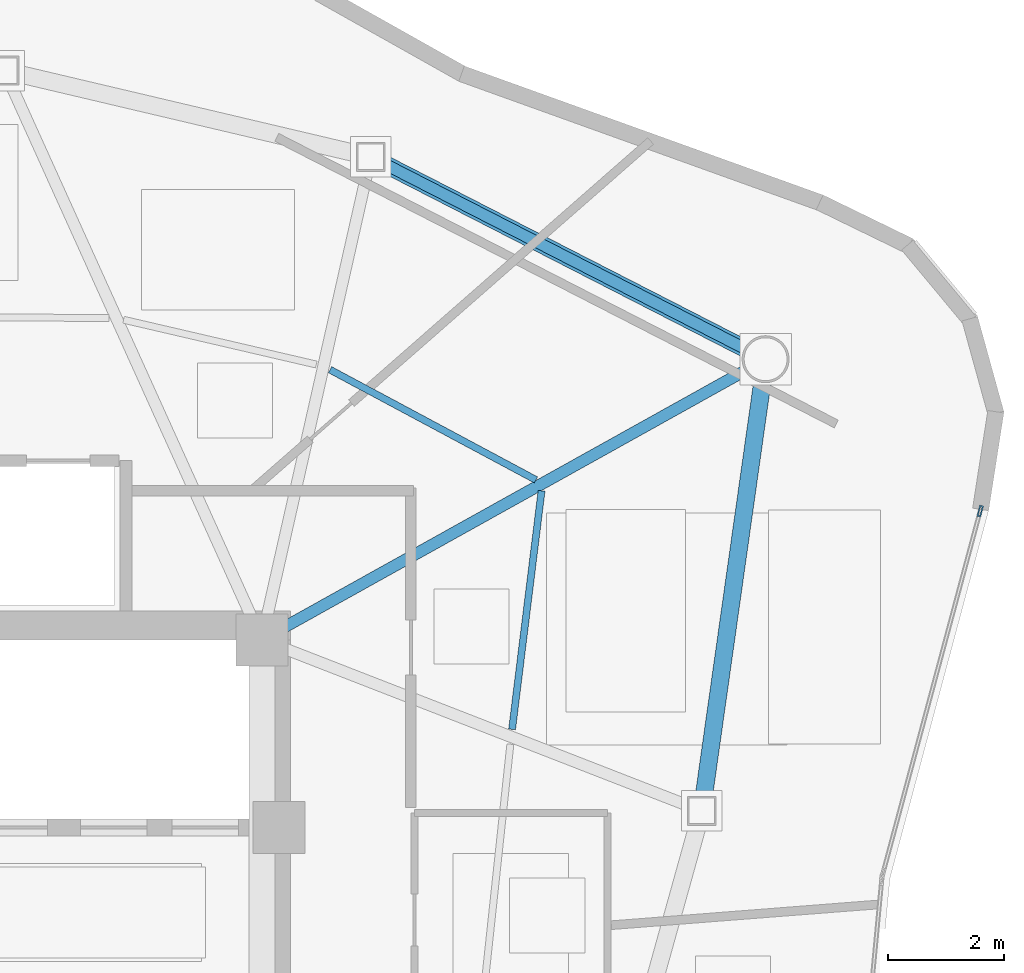
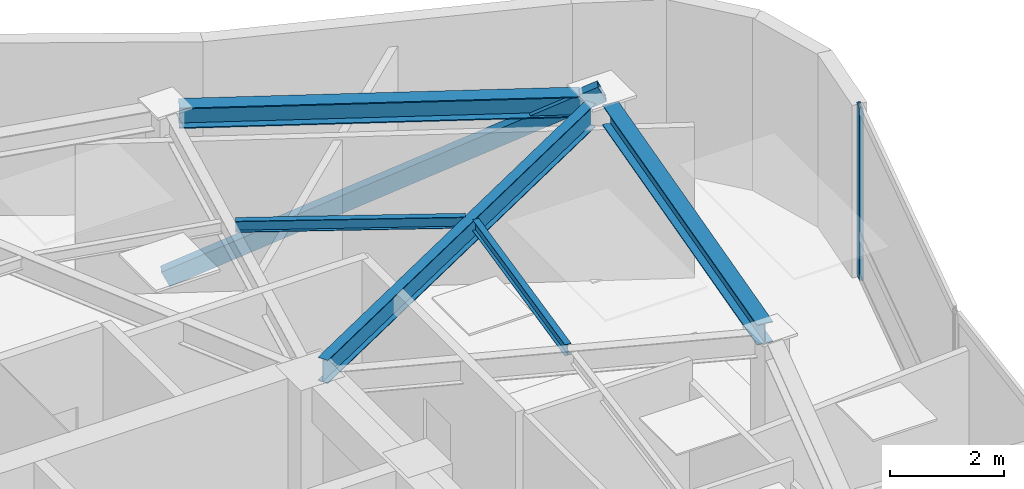
# One storey, part 6 of 12: 5 beams, 2 members, 1 element without a shape of its own.
"""IFC4 building model written with IfcOpenShell, lengths in metres."""

from ifc_helpers import new_model, si_unit, direction, frame, origin, origin_2d, place, context, subcontext, project, spatial, hollow_rectangle, i_section, extrude, source, transform, mapped, material, layer, layer_set, material_profile, profile_set, type_object, type_shapes, element, aggregate, save


model = new_model("IFC4")

# Units and contexts
model_context = context("Model", 3, precision=1e-05, world=origin(), true_north=direction((0.0, 1.0)))
body_context = subcontext(model_context, "Body", "Model", "MODEL_VIEW")
ifc_project = project(units=[si_unit("LENGTHUNIT", "METRE"), si_unit("AREAUNIT", "SQUARE_METRE"), si_unit("VOLUMEUNIT", "CUBIC_METRE"), si_unit("PLANEANGLEUNIT", "RADIAN"), si_unit("MASSUNIT", "GRAM", prefix="KILO")], contexts=[model_context])

# Site, building, storey
site_placement = place(None, origin())
site = spatial("IfcSite", under=ifc_project, at=site_placement, CompositionType="ELEMENT")
building_placement = place(site_placement, origin())
building = spatial("IfcBuilding", under=site, at=building_placement, Name="Tavelor Broadcast Tower", CompositionType="ELEMENT")
storey_placement = place(building_placement, frame((0.0, 0.0, 285.5)))
storey = spatial("IfcBuildingStorey", under=building, at=storey_placement, Name="L68", CompositionType="ELEMENT", Elevation=285.5)

# Beams
ifc_material_1 = material(Name="Steel S355", Category="steel")
ifc_material_profile_1 = material_profile(ifc_material_1, i_section(OverallWidth=0.1201171875, OverallDepth=0.239990234375, WebThickness=0.006103515625, FlangeThickness=0.009765625, at=origin_2d()), Name="IPE 240")
ifc_profile_set_1 = profile_set([ifc_material_profile_1], Name="Steel S355")
beam_type_1 = type_object("IfcBeamType", Name="Composite Floor Joist T7 IPE 240", PredefinedType="JOIST", material=ifc_profile_set_1)
beam_1_placement = place(storey_placement, frame((60.931884765625, 49.648681640625, 3.580078125), z_axis=(0.12271283089, 0.992442220552, 0.0), x_axis=(-0.992442220552, 0.12271283089, 0.0)))
element("IfcBeam", 1, at=beam_1_placement, inside=storey, type_object=beam_type_1, Name="L68 Secondary Composite Floor Joist 12", PredefinedType="JOIST", context=body_context, shape_type="SweptSolid", body=[
    extrude(i_section(OverallWidth=0.1201171875, OverallDepth=0.239990234375, WebThickness=0.006103515625, FlangeThickness=0.009765625, at=origin_2d()), origin(), (0.0, 0.0, 1.0), 4.16015625),
])
beam_2_placement = place(storey_placement, frame((61.344482421875, 53.96630859375, 3.580078125), z_axis=(-0.881609274303, 0.471979965108, 0.0), x_axis=(-0.471979965108, -0.881609274303, 0.0)))
element("IfcBeam", 2, at=beam_2_placement, inside=storey, type_object=beam_type_1, Name="L68 Secondary Composite Floor Joist 13", PredefinedType="JOIST", context=body_context, shape_type="SweptSolid", body=[
    extrude(i_section(OverallWidth=0.1201171875, OverallDepth=0.239990234375, WebThickness=0.006103515625, FlangeThickness=0.009765625, at=origin_2d()), origin(), (0.0, 0.0, 1.0), 4.041015625),
])
ifc_material_profile_2 = material_profile(ifc_material_1, i_section(OverallWidth=0.300048828125, OverallDepth=0.43994140625, WebThickness=0.011474609375, FlangeThickness=0.02099609375, at=origin_2d()), Name="HEA 450")
ifc_profile_set_2 = profile_set([ifc_material_profile_2], Name="Steel S355")
beam_type_2 = type_object("IfcBeamType", Name="Perimeter Spandrel Beam T7 HEA 450", PredefinedType="SPANDREL", material=ifc_profile_set_2)
beam_3_placement = place(storey_placement, frame((64.248046875, 48.47509765625, 3.47998046875), z_axis=(0.139953453654, 0.990158083747, 0.0), x_axis=(-0.990158083747, 0.139953453654, 0.0)))
element("IfcBeam", 3, at=beam_3_placement, inside=storey, type_object=beam_type_2, Name="L68 Framed-Tube Ring Spandrel 12", PredefinedType="SPANDREL", context=body_context, shape_type="SweptSolid", body=[
    extrude(i_section(OverallWidth=0.300048828125, OverallDepth=0.43994140625, WebThickness=0.011474609375, FlangeThickness=0.02099609375, at=origin_2d()), origin(), (0.0, 0.0, 1.0), 7.265625),
])
beam_4_placement = place(storey_placement, frame((64.97216796875, 56.2333984375, 3.47998046875), z_axis=(-0.889963826526, 0.456031125556, 0.0), x_axis=(-0.456031125556, -0.889963826526, 0.0)))
element("IfcBeam", 4, at=beam_4_placement, inside=storey, type_object=beam_type_2, Name="L68 Framed-Tube Ring Spandrel 13", PredefinedType="SPANDREL", context=body_context, shape_type="SweptSolid", body=[
    extrude(i_section(OverallWidth=0.300048828125, OverallDepth=0.43994140625, WebThickness=0.011474609375, FlangeThickness=0.02099609375, at=origin_2d()), origin(), (0.0, 0.0, 1.0), 7.048583984375),
])

# Member
ifc_material_profile_3 = material_profile(ifc_material_1, hollow_rectangle(XDim=0.199951171875, YDim=0.35009765625, WallThickness=0.01611328125, at=origin_2d()), Name="RHS 350x200x16")
ifc_profile_set_3 = profile_set([ifc_material_profile_3], Name="Steel S355")
member_type_1 = type_object("IfcMemberType", Name="Perimeter Tube Brace T7 RHS 350x200x16", PredefinedType="BRACE", material=ifc_profile_set_3)
member_1_placement = place(storey_placement, frame((58.485595703125, 59.55712890625, 0.0), z_axis=(0.801763897696, -0.410792291396, 0.434078732123), x_axis=(0.455992584505, 0.889983574498, 0.0)))
element("IfcMember", 5, at=member_1_placement, inside=storey, type_object=member_type_1, Name="L68 Corner Tube Diagonal Brace 3", PredefinedType="BRACE", context=body_context, shape_type="SweptSolid", body=[
    extrude(hollow_rectangle(XDim=0.199951171875, YDim=0.35009765625, WallThickness=0.01611328125, at=origin_2d()), origin(), (0.0, 0.0, 1.0), 8.523681640625),
])

# Beam
ifc_material_profile_4 = material_profile(ifc_material_1, i_section(OverallWidth=0.199951171875, OverallDepth=0.5, WebThickness=0.01025390625, FlangeThickness=0.01611328125, at=origin_2d()), Name="IPE 500")
ifc_profile_set_4 = profile_set([ifc_material_profile_4], Name="Steel S355")
beam_type_3 = type_object("IfcBeamType", Name="Radial Floor Girder T7 IPE 500", PredefinedType="BEAM", material=ifc_profile_set_4)
beam_5_placement = place(storey_placement, frame((56.977294921875, 51.41015625, 3.449951171875), z_axis=(0.873672716844, 0.486514114741, 0.0), x_axis=(-0.486514114741, 0.873672716844, 0.0)))
element("IfcBeam", 6, at=beam_5_placement, inside=storey, type_object=beam_type_3, Name="L68 Radial Primary Floor Girder 13", PredefinedType="BEAM", context=body_context, shape_type="SweptSolid", body=[
    extrude(i_section(OverallWidth=0.199951171875, OverallDepth=0.5, WebThickness=0.01025390625, FlangeThickness=0.01611328125, at=origin_2d()), origin(), (0.0, 0.0, 1.0), 9.158203125),
])

# Curtain wall, member
ifc_material_2 = material(Name="Architectural Anodized Aluminium", Category="aluminium")
ifc_layer = layer(ifc_material_2, 0.199951171875)
ifc_layer_set = layer_set([ifc_layer], Name="Architectural Anodized Aluminium")
curtain_wall_type = type_object("IfcCurtainWallType", Name="Tower High-Zone Triple-Glazed Curtain Wall CW04", PredefinedType="NOTDEFINED", material=ifc_layer_set)
curtain_wall_placement = place(storey_placement, origin())
curtain_wall = element("IfcCurtainWall", 7, at=curtain_wall_placement, inside=storey, type_object=curtain_wall_type, Name="L68 Curtain Wall CW04 Run 752", PredefinedType="NOTDEFINED")
ifc_material_profile_5 = material_profile(ifc_material_2, hollow_rectangle(XDim=0.070068359375, YDim=0.199951171875, WallThickness=0.02197265625, at=origin_2d()), Name="RHS 70x200x22")
ifc_profile_set_5 = profile_set([ifc_material_profile_5], Name="Architectural Anodized Aluminium")
member_type_2 = type_object("IfcMemberType", Name="CW04 Extruded Aluminium Mullion 70x200", PredefinedType="MULLION", material=ifc_profile_set_5)
shared_shape = source(origin(), body_context, "Body", "SweptSolid", [
    extrude(hollow_rectangle(XDim=0.070068359375, YDim=0.199951171875, WallThickness=0.02197265625, at=origin_2d()), origin(), (0.0, 0.0, 1.0), 3.699951171875),
])
type_shapes(member_type_2, [shared_shape])
member_2_placement = place(storey_placement, frame((69.033203125, 53.427001953125, 0.0), z_axis=(0.0, 0.0, 1.0), x_axis=(-0.965821746804, 0.259207163097, 0.0)))
member_2 = element("IfcMember", 8, at=member_2_placement, type_object=member_type_2, Name="CW04 mullion 2", PredefinedType="MULLION", context=body_context, shape_type="MappedRepresentation", body=[
    mapped(shared_shape, transform((0.0, 0.0, 0.0), scale=1.0)),
])
aggregate(curtain_wall, [member_2])

save(model, "model.ifc")
